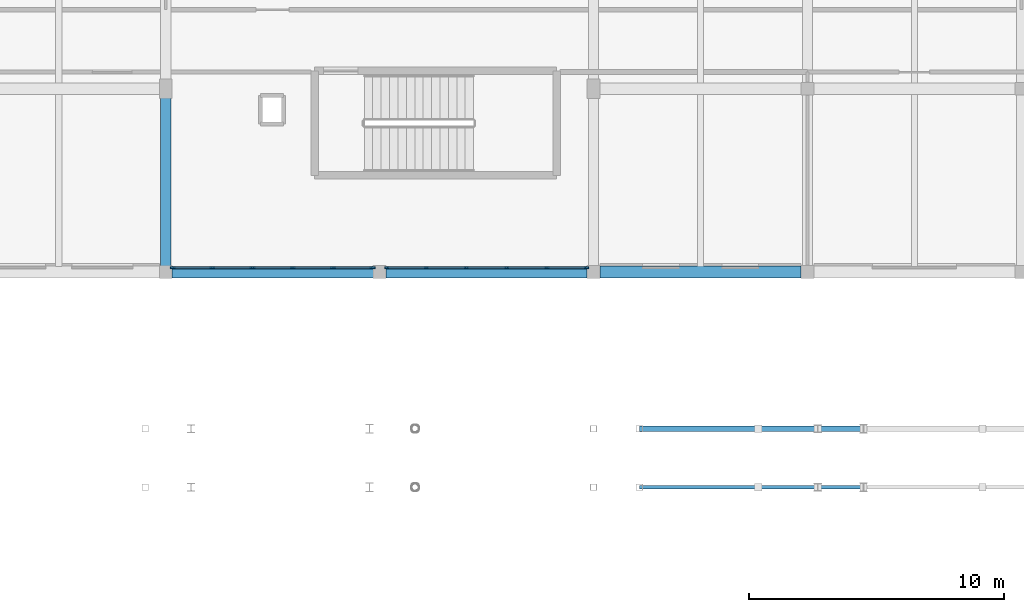
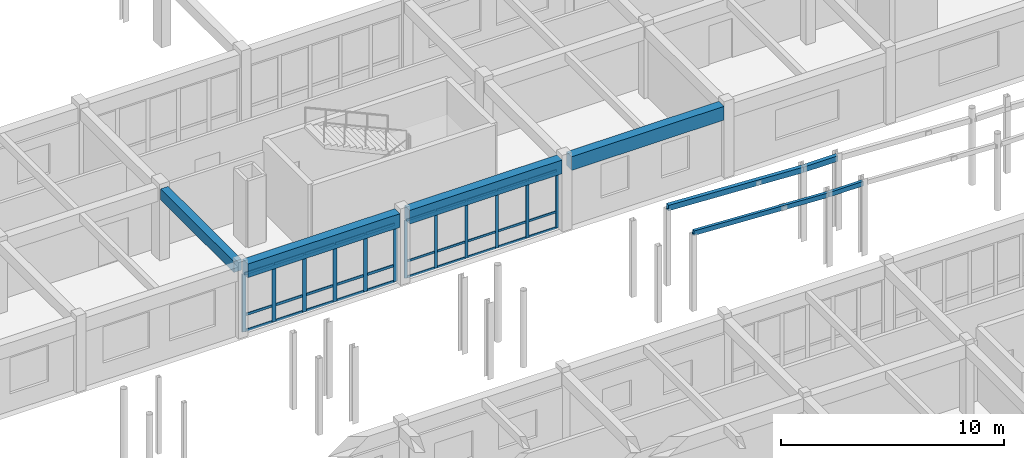
# One storey, part 45 of 90: 46 members, 4 beams, 2 elements without a shape of their own.
"""IFC4 building model written with IfcOpenShell, lengths in metres."""

from ifc_helpers import new_model, si_unit, direction, frame, origin, origin_2d, place, context, subcontext, project, spatial, rectangle, hollow_rectangle, extrude, material, material_profile, profile_set, type_object, element, aggregate, save


model = new_model("IFC4")

# Units and contexts
model_context = context("Model", 3, precision=1e-05, world=origin(), true_north=direction((0.0, 1.0)))
body_context = subcontext(model_context, "Body", "Model", "MODEL_VIEW")
ifc_project = project(units=[si_unit("LENGTHUNIT", "METRE"), si_unit("AREAUNIT", "SQUARE_METRE"), si_unit("VOLUMEUNIT", "CUBIC_METRE"), si_unit("PLANEANGLEUNIT", "RADIAN"), si_unit("MASSUNIT", "GRAM", prefix="KILO")], contexts=[model_context])

# Site, building, storey
site_placement = place(None, origin())
site = spatial("IfcSite", under=ifc_project, at=site_placement, CompositionType="ELEMENT")
building_placement = place(site_placement, origin())
building = spatial("IfcBuilding", under=site, at=building_placement, Name="Malvenik Polytechnic", CompositionType="ELEMENT")
storey_placement = place(building_placement, frame((0.0, 0.0, 9.300048828125)))
storey = spatial("IfcBuildingStorey", under=building, at=storey_placement, Name="L02", CompositionType="ELEMENT", Elevation=9.300048828125)

# Curtain wall, members
ifc_material_1 = material(Name="Anodised aluminium 6060-T6", Category="aluminium")
curtain_wall_type = type_object("IfcCurtainWallType", Name="ARC-CW-CW-03", PredefinedType="NOTDEFINED", material=ifc_material_1)
curtain_wall_1_placement = place(storey_placement, origin())
curtain_wall_1 = element("IfcCurtainWall", 1, at=curtain_wall_1_placement, inside=storey, type_object=curtain_wall_type, Name="Unitised Curtain Wall CW-03 L02 #149", PredefinedType="NOTDEFINED")
ifc_material_2 = material(Name="Anodised aluminium", Category="aluminium")
ifc_material_profile_1 = material_profile(ifc_material_2, rectangle(XDim=0.06005859375, YDim=0.159912109375, at=origin_2d()), Name="ALU MULLION 60x160")
ifc_profile_set_1 = profile_set([ifc_material_profile_1], Name="Anodised aluminium")
member_type_1 = type_object("IfcMemberType", Name="ARC-CWM-160", PredefinedType="MULLION", material=ifc_profile_set_1)
member_1_placement = place(storey_placement, frame((83.721923828125, 79.3701171875, 0.0), z_axis=(0.0, 0.0, 1.0), x_axis=(0.0, -1.0, 0.0)))
member_1 = element("IfcMember", 2, at=member_1_placement, type_object=member_type_1, Name="CW-03 mullion 1", PredefinedType="MULLION", context=body_context, shape_type="SweptSolid", body=[
    extrude(rectangle(XDim=0.06005859375, YDim=0.159912109375, at=origin_2d()), origin(), (0.0, 0.0, 1.0), 3.179931640625),
])
member_2_placement = place(storey_placement, frame((82.171142578125, 79.3701171875, 0.0), z_axis=(0.0, 0.0, 1.0), x_axis=(0.0, -1.0, 0.0)))
member_2 = element("IfcMember", 3, at=member_2_placement, type_object=member_type_1, Name="CW-03 mullion 2", PredefinedType="MULLION", context=body_context, shape_type="SweptSolid", body=[
    extrude(rectangle(XDim=0.06005859375, YDim=0.159912109375, at=origin_2d()), origin(), (0.0, 0.0, 1.0), 3.179931640625),
])
member_3_placement = place(storey_placement, frame((80.59033203125, 79.3701171875, 0.0), z_axis=(0.0, 0.0, 1.0), x_axis=(0.0, -1.0, 0.0)))
member_3 = element("IfcMember", 4, at=member_3_placement, type_object=member_type_1, Name="CW-03 mullion 3", PredefinedType="MULLION", context=body_context, shape_type="SweptSolid", body=[
    extrude(rectangle(XDim=0.06005859375, YDim=0.159912109375, at=origin_2d()), origin(), (0.0, 0.0, 1.0), 3.179931640625),
])
member_4_placement = place(storey_placement, frame((79.009521484375, 79.3701171875, 0.0), z_axis=(0.0, 0.0, 1.0), x_axis=(0.0, -1.0, 0.0)))
member_4 = element("IfcMember", 5, at=member_4_placement, type_object=member_type_1, Name="CW-03 mullion 4", PredefinedType="MULLION", context=body_context, shape_type="SweptSolid", body=[
    extrude(rectangle(XDim=0.06005859375, YDim=0.159912109375, at=origin_2d()), origin(), (0.0, 0.0, 1.0), 3.179931640625),
])
member_5_placement = place(storey_placement, frame((77.4287109375, 79.3701171875, 0.0), z_axis=(0.0, 0.0, 1.0), x_axis=(0.0, -1.0, 0.0)))
member_5 = element("IfcMember", 6, at=member_5_placement, type_object=member_type_1, Name="CW-03 mullion 5", PredefinedType="MULLION", context=body_context, shape_type="SweptSolid", body=[
    extrude(rectangle(XDim=0.06005859375, YDim=0.159912109375, at=origin_2d()), origin(), (0.0, 0.0, 1.0), 3.179931640625),
])
member_6_placement = place(storey_placement, frame((75.8779296875, 79.3701171875, 0.0), z_axis=(0.0, 0.0, 1.0), x_axis=(0.0, -1.0, 0.0)))
member_6 = element("IfcMember", 7, at=member_6_placement, type_object=member_type_1, Name="CW-03 mullion 6", PredefinedType="MULLION", context=body_context, shape_type="SweptSolid", body=[
    extrude(rectangle(XDim=0.06005859375, YDim=0.159912109375, at=origin_2d()), origin(), (0.0, 0.0, 1.0), 3.179931640625),
])

curtain_wall_2_placement = place(storey_placement, origin())
curtain_wall_2 = element("IfcCurtainWall", 8, at=curtain_wall_2_placement, inside=storey, type_object=curtain_wall_type, Name="Unitised Curtain Wall CW-03 L02 #150", PredefinedType="NOTDEFINED")
ifc_material_profile_2 = material_profile(ifc_material_2, rectangle(XDim=0.06005859375, YDim=0.199951171875, at=origin_2d()), Name="ALU MULLION 60x200")
ifc_profile_set_2 = profile_set([ifc_material_profile_2], Name="Anodised aluminium")
member_type_2 = type_object("IfcMemberType", Name="ARC-CWM-200", PredefinedType="MULLION", material=ifc_profile_set_2)
member_7_placement = place(storey_placement, frame((75.322021484375, 79.3701171875, 0.0), z_axis=(0.0, 0.0, 1.0), x_axis=(0.0, -1.0, 0.0)))
member_7 = element("IfcMember", 9, at=member_7_placement, type_object=member_type_2, Name="CW-03 mullion 1", PredefinedType="MULLION", context=body_context, shape_type="SweptSolid", body=[
    extrude(rectangle(XDim=0.06005859375, YDim=0.199951171875, at=origin_2d()), origin(), (0.0, 0.0, 1.0), 3.179931640625),
])
member_8_placement = place(storey_placement, frame((73.771240234375, 79.3701171875, 0.0), z_axis=(0.0, 0.0, 1.0), x_axis=(0.0, -1.0, 0.0)))
member_8 = element("IfcMember", 10, at=member_8_placement, type_object=member_type_2, Name="CW-03 mullion 2", PredefinedType="MULLION", context=body_context, shape_type="SweptSolid", body=[
    extrude(rectangle(XDim=0.06005859375, YDim=0.199951171875, at=origin_2d()), origin(), (0.0, 0.0, 1.0), 3.179931640625),
])
member_9_placement = place(storey_placement, frame((72.1904296875, 79.3701171875, 0.0), z_axis=(0.0, 0.0, 1.0), x_axis=(0.0, -1.0, 0.0)))
member_9 = element("IfcMember", 11, at=member_9_placement, type_object=member_type_2, Name="CW-03 mullion 3", PredefinedType="MULLION", context=body_context, shape_type="SweptSolid", body=[
    extrude(rectangle(XDim=0.06005859375, YDim=0.199951171875, at=origin_2d()), origin(), (0.0, 0.0, 1.0), 3.179931640625),
])
member_10_placement = place(storey_placement, frame((70.609619140625, 79.3701171875, 0.0), z_axis=(0.0, 0.0, 1.0), x_axis=(0.0, -1.0, 0.0)))
member_10 = element("IfcMember", 12, at=member_10_placement, type_object=member_type_2, Name="CW-03 mullion 4", PredefinedType="MULLION", context=body_context, shape_type="SweptSolid", body=[
    extrude(rectangle(XDim=0.06005859375, YDim=0.199951171875, at=origin_2d()), origin(), (0.0, 0.0, 1.0), 3.179931640625),
])
member_11_placement = place(storey_placement, frame((69.02880859375, 79.3701171875, 0.0), z_axis=(0.0, 0.0, 1.0), x_axis=(0.0, -1.0, 0.0)))
member_11 = element("IfcMember", 13, at=member_11_placement, type_object=member_type_2, Name="CW-03 mullion 5", PredefinedType="MULLION", context=body_context, shape_type="SweptSolid", body=[
    extrude(rectangle(XDim=0.06005859375, YDim=0.199951171875, at=origin_2d()), origin(), (0.0, 0.0, 1.0), 3.179931640625),
])
member_12_placement = place(storey_placement, frame((67.47802734375, 79.3701171875, 0.0), z_axis=(0.0, 0.0, 1.0), x_axis=(0.0, -1.0, 0.0)))
member_12 = element("IfcMember", 14, at=member_12_placement, type_object=member_type_2, Name="CW-03 mullion 6", PredefinedType="MULLION", context=body_context, shape_type="SweptSolid", body=[
    extrude(rectangle(XDim=0.06005859375, YDim=0.199951171875, at=origin_2d()), origin(), (0.0, 0.0, 1.0), 3.179931640625),
])

# Member
ifc_material_profile_3 = material_profile(ifc_material_2, rectangle(XDim=0.06005859375, YDim=0.1201171875, at=origin_2d()), Name="ALU TRANSOM 60x120")
ifc_profile_set_3 = profile_set([ifc_material_profile_3], Name="Anodised aluminium")
member_type_3 = type_object("IfcMemberType", Name="ARC-CWT-120", PredefinedType="USERDEFINED", material=ifc_profile_set_3)
member_13_placement = place(storey_placement, frame((83.69189453125, 79.3701171875, 0.030029296875), z_axis=(-1.0, 0.0, 0.0), x_axis=(0.0, -1.0, 0.0)))
member_13 = element("IfcMember", 15, at=member_13_placement, type_object=member_type_3, Name="CW-03 transom 1.1", ObjectType="TRANSOM", PredefinedType="USERDEFINED", context=body_context, shape_type="SweptSolid", body=[
    extrude(rectangle(XDim=0.06005859375, YDim=0.1201171875, at=origin_2d()), origin(), (0.0, 0.0, 1.0), 1.49072265625),
])

member_14_placement = place(storey_placement, frame((83.69189453125, 79.3701171875, 0.89990234375), z_axis=(-1.0, 0.0, 0.0), x_axis=(0.0, -1.0, 0.0)))
member_14 = element("IfcMember", 16, at=member_14_placement, type_object=member_type_3, Name="CW-03 transom 1.2", ObjectType="TRANSOM", PredefinedType="USERDEFINED", context=body_context, shape_type="SweptSolid", body=[
    extrude(rectangle(XDim=0.06005859375, YDim=0.1201171875, at=origin_2d()), origin(), (0.0, 0.0, 1.0), 1.49072265625),
])

member_15_placement = place(storey_placement, frame((83.69189453125, 79.3701171875, 3.14990234375), z_axis=(-1.0, 0.0, 0.0), x_axis=(0.0, -1.0, 0.0)))
member_15 = element("IfcMember", 17, at=member_15_placement, type_object=member_type_3, Name="CW-03 transom 1.3", ObjectType="TRANSOM", PredefinedType="USERDEFINED", context=body_context, shape_type="SweptSolid", body=[
    extrude(rectangle(XDim=0.06005859375, YDim=0.1201171875, at=origin_2d()), origin(), (0.0, 0.0, 1.0), 1.49072265625),
])

member_16_placement = place(storey_placement, frame((82.14111328125, 79.3701171875, 0.030029296875), z_axis=(-1.0, 0.0, 0.0), x_axis=(0.0, -1.0, 0.0)))
member_16 = element("IfcMember", 18, at=member_16_placement, type_object=member_type_3, Name="CW-03 transom 2.1", ObjectType="TRANSOM", PredefinedType="USERDEFINED", context=body_context, shape_type="SweptSolid", body=[
    extrude(rectangle(XDim=0.06005859375, YDim=0.1201171875, at=origin_2d()), origin(), (0.0, 0.0, 1.0), 1.520751953125),
])

member_17_placement = place(storey_placement, frame((82.14111328125, 79.3701171875, 0.89990234375), z_axis=(-1.0, 0.0, 0.0), x_axis=(0.0, -1.0, 0.0)))
member_17 = element("IfcMember", 19, at=member_17_placement, type_object=member_type_3, Name="CW-03 transom 2.2", ObjectType="TRANSOM", PredefinedType="USERDEFINED", context=body_context, shape_type="SweptSolid", body=[
    extrude(rectangle(XDim=0.06005859375, YDim=0.1201171875, at=origin_2d()), origin(), (0.0, 0.0, 1.0), 1.520751953125),
])

member_18_placement = place(storey_placement, frame((82.14111328125, 79.3701171875, 3.14990234375), z_axis=(-1.0, 0.0, 0.0), x_axis=(0.0, -1.0, 0.0)))
member_18 = element("IfcMember", 20, at=member_18_placement, type_object=member_type_3, Name="CW-03 transom 2.3", ObjectType="TRANSOM", PredefinedType="USERDEFINED", context=body_context, shape_type="SweptSolid", body=[
    extrude(rectangle(XDim=0.06005859375, YDim=0.1201171875, at=origin_2d()), origin(), (0.0, 0.0, 1.0), 1.520751953125),
])

member_19_placement = place(storey_placement, frame((80.560302734375, 79.3701171875, 0.030029296875), z_axis=(-1.0, 0.0, 0.0), x_axis=(0.0, -1.0, 0.0)))
member_19 = element("IfcMember", 21, at=member_19_placement, type_object=member_type_3, Name="CW-03 transom 3.1", ObjectType="TRANSOM", PredefinedType="USERDEFINED", context=body_context, shape_type="SweptSolid", body=[
    extrude(rectangle(XDim=0.06005859375, YDim=0.1201171875, at=origin_2d()), origin(), (0.0, 0.0, 1.0), 1.520751953125),
])

member_20_placement = place(storey_placement, frame((80.560302734375, 79.3701171875, 0.89990234375), z_axis=(-1.0, 0.0, 0.0), x_axis=(0.0, -1.0, 0.0)))
member_20 = element("IfcMember", 22, at=member_20_placement, type_object=member_type_3, Name="CW-03 transom 3.2", ObjectType="TRANSOM", PredefinedType="USERDEFINED", context=body_context, shape_type="SweptSolid", body=[
    extrude(rectangle(XDim=0.06005859375, YDim=0.1201171875, at=origin_2d()), origin(), (0.0, 0.0, 1.0), 1.520751953125),
])

member_21_placement = place(storey_placement, frame((80.560302734375, 79.3701171875, 3.14990234375), z_axis=(-1.0, 0.0, 0.0), x_axis=(0.0, -1.0, 0.0)))
member_21 = element("IfcMember", 23, at=member_21_placement, type_object=member_type_3, Name="CW-03 transom 3.3", ObjectType="TRANSOM", PredefinedType="USERDEFINED", context=body_context, shape_type="SweptSolid", body=[
    extrude(rectangle(XDim=0.06005859375, YDim=0.1201171875, at=origin_2d()), origin(), (0.0, 0.0, 1.0), 1.520751953125),
])

member_22_placement = place(storey_placement, frame((78.9794921875, 79.3701171875, 0.030029296875), z_axis=(-1.0, 0.0, 0.0), x_axis=(0.0, -1.0, 0.0)))
member_22 = element("IfcMember", 24, at=member_22_placement, type_object=member_type_3, Name="CW-03 transom 4.1", ObjectType="TRANSOM", PredefinedType="USERDEFINED", context=body_context, shape_type="SweptSolid", body=[
    extrude(rectangle(XDim=0.06005859375, YDim=0.1201171875, at=origin_2d()), origin(), (0.0, 0.0, 1.0), 1.520751953125),
])

member_23_placement = place(storey_placement, frame((78.9794921875, 79.3701171875, 0.89990234375), z_axis=(-1.0, 0.0, 0.0), x_axis=(0.0, -1.0, 0.0)))
member_23 = element("IfcMember", 25, at=member_23_placement, type_object=member_type_3, Name="CW-03 transom 4.2", ObjectType="TRANSOM", PredefinedType="USERDEFINED", context=body_context, shape_type="SweptSolid", body=[
    extrude(rectangle(XDim=0.06005859375, YDim=0.1201171875, at=origin_2d()), origin(), (0.0, 0.0, 1.0), 1.520751953125),
])

member_24_placement = place(storey_placement, frame((78.9794921875, 79.3701171875, 3.14990234375), z_axis=(-1.0, 0.0, 0.0), x_axis=(0.0, -1.0, 0.0)))
member_24 = element("IfcMember", 26, at=member_24_placement, type_object=member_type_3, Name="CW-03 transom 4.3", ObjectType="TRANSOM", PredefinedType="USERDEFINED", context=body_context, shape_type="SweptSolid", body=[
    extrude(rectangle(XDim=0.06005859375, YDim=0.1201171875, at=origin_2d()), origin(), (0.0, 0.0, 1.0), 1.520751953125),
])

member_25_placement = place(storey_placement, frame((77.398681640625, 79.3701171875, 0.030029296875), z_axis=(-1.0, 0.0, 0.0), x_axis=(0.0, -1.0, 0.0)))
member_25 = element("IfcMember", 27, at=member_25_placement, type_object=member_type_3, Name="CW-03 transom 5.1", ObjectType="TRANSOM", PredefinedType="USERDEFINED", context=body_context, shape_type="SweptSolid", body=[
    extrude(rectangle(XDim=0.06005859375, YDim=0.1201171875, at=origin_2d()), origin(), (0.0, 0.0, 1.0), 1.49072265625),
])

member_26_placement = place(storey_placement, frame((77.398681640625, 79.3701171875, 0.89990234375), z_axis=(-1.0, 0.0, 0.0), x_axis=(0.0, -1.0, 0.0)))
member_26 = element("IfcMember", 28, at=member_26_placement, type_object=member_type_3, Name="CW-03 transom 5.2", ObjectType="TRANSOM", PredefinedType="USERDEFINED", context=body_context, shape_type="SweptSolid", body=[
    extrude(rectangle(XDim=0.06005859375, YDim=0.1201171875, at=origin_2d()), origin(), (0.0, 0.0, 1.0), 1.49072265625),
])

member_27_placement = place(storey_placement, frame((77.398681640625, 79.3701171875, 3.14990234375), z_axis=(-1.0, 0.0, 0.0), x_axis=(0.0, -1.0, 0.0)))
member_27 = element("IfcMember", 29, at=member_27_placement, type_object=member_type_3, Name="CW-03 transom 5.3", ObjectType="TRANSOM", PredefinedType="USERDEFINED", context=body_context, shape_type="SweptSolid", body=[
    extrude(rectangle(XDim=0.06005859375, YDim=0.1201171875, at=origin_2d()), origin(), (0.0, 0.0, 1.0), 1.49072265625),
])

aggregate(curtain_wall_1, [member_1, member_2, member_3, member_4, member_5, member_6, member_13, member_14, member_15, member_16, member_17, member_18, member_19, member_20, member_21, member_22, member_23, member_24, member_25, member_26, member_27])

ifc_material_profile_4 = material_profile(ifc_material_2, rectangle(XDim=0.06005859375, YDim=0.139892578125, at=origin_2d()), Name="ALU TRANSOM 60x140")
ifc_profile_set_4 = profile_set([ifc_material_profile_4], Name="Anodised aluminium")
member_type_4 = type_object("IfcMemberType", Name="ARC-CWT-140", PredefinedType="USERDEFINED", material=ifc_profile_set_4)
member_28_placement = place(storey_placement, frame((75.2919921875, 79.3701171875, 0.030029296875), z_axis=(-1.0, 0.0, 0.0), x_axis=(0.0, -1.0, 0.0)))
member_28 = element("IfcMember", 30, at=member_28_placement, type_object=member_type_4, Name="CW-03 transom 1.1", ObjectType="TRANSOM", PredefinedType="USERDEFINED", context=body_context, shape_type="SweptSolid", body=[
    extrude(rectangle(XDim=0.06005859375, YDim=0.139892578125, at=origin_2d()), origin(), (0.0, 0.0, 1.0), 1.49072265625),
])

member_29_placement = place(storey_placement, frame((75.2919921875, 79.3701171875, 0.89990234375), z_axis=(-1.0, 0.0, 0.0), x_axis=(0.0, -1.0, 0.0)))
member_29 = element("IfcMember", 31, at=member_29_placement, type_object=member_type_4, Name="CW-03 transom 1.2", ObjectType="TRANSOM", PredefinedType="USERDEFINED", context=body_context, shape_type="SweptSolid", body=[
    extrude(rectangle(XDim=0.06005859375, YDim=0.139892578125, at=origin_2d()), origin(), (0.0, 0.0, 1.0), 1.49072265625),
])

member_30_placement = place(storey_placement, frame((75.2919921875, 79.3701171875, 3.14990234375), z_axis=(-1.0, 0.0, 0.0), x_axis=(0.0, -1.0, 0.0)))
member_30 = element("IfcMember", 32, at=member_30_placement, type_object=member_type_4, Name="CW-03 transom 1.3", ObjectType="TRANSOM", PredefinedType="USERDEFINED", context=body_context, shape_type="SweptSolid", body=[
    extrude(rectangle(XDim=0.06005859375, YDim=0.139892578125, at=origin_2d()), origin(), (0.0, 0.0, 1.0), 1.49072265625),
])

member_31_placement = place(storey_placement, frame((73.7412109375, 79.3701171875, 0.030029296875), z_axis=(-1.0, 0.0, 0.0), x_axis=(0.0, -1.0, 0.0)))
member_31 = element("IfcMember", 33, at=member_31_placement, type_object=member_type_4, Name="CW-03 transom 2.1", ObjectType="TRANSOM", PredefinedType="USERDEFINED", context=body_context, shape_type="SweptSolid", body=[
    extrude(rectangle(XDim=0.06005859375, YDim=0.139892578125, at=origin_2d()), origin(), (0.0, 0.0, 1.0), 1.520751953125),
])

member_32_placement = place(storey_placement, frame((73.7412109375, 79.3701171875, 0.89990234375), z_axis=(-1.0, 0.0, 0.0), x_axis=(0.0, -1.0, 0.0)))
member_32 = element("IfcMember", 34, at=member_32_placement, type_object=member_type_4, Name="CW-03 transom 2.2", ObjectType="TRANSOM", PredefinedType="USERDEFINED", context=body_context, shape_type="SweptSolid", body=[
    extrude(rectangle(XDim=0.06005859375, YDim=0.139892578125, at=origin_2d()), origin(), (0.0, 0.0, 1.0), 1.520751953125),
])

member_33_placement = place(storey_placement, frame((73.7412109375, 79.3701171875, 3.14990234375), z_axis=(-1.0, 0.0, 0.0), x_axis=(0.0, -1.0, 0.0)))
member_33 = element("IfcMember", 35, at=member_33_placement, type_object=member_type_4, Name="CW-03 transom 2.3", ObjectType="TRANSOM", PredefinedType="USERDEFINED", context=body_context, shape_type="SweptSolid", body=[
    extrude(rectangle(XDim=0.06005859375, YDim=0.139892578125, at=origin_2d()), origin(), (0.0, 0.0, 1.0), 1.520751953125),
])

member_34_placement = place(storey_placement, frame((72.160400390625, 79.3701171875, 0.030029296875), z_axis=(-1.0, 0.0, 0.0), x_axis=(0.0, -1.0, 0.0)))
member_34 = element("IfcMember", 36, at=member_34_placement, type_object=member_type_4, Name="CW-03 transom 3.1", ObjectType="TRANSOM", PredefinedType="USERDEFINED", context=body_context, shape_type="SweptSolid", body=[
    extrude(rectangle(XDim=0.06005859375, YDim=0.139892578125, at=origin_2d()), origin(), (0.0, 0.0, 1.0), 1.520751953125),
])

member_35_placement = place(storey_placement, frame((72.160400390625, 79.3701171875, 0.89990234375), z_axis=(-1.0, 0.0, 0.0), x_axis=(0.0, -1.0, 0.0)))
member_35 = element("IfcMember", 37, at=member_35_placement, type_object=member_type_4, Name="CW-03 transom 3.2", ObjectType="TRANSOM", PredefinedType="USERDEFINED", context=body_context, shape_type="SweptSolid", body=[
    extrude(rectangle(XDim=0.06005859375, YDim=0.139892578125, at=origin_2d()), origin(), (0.0, 0.0, 1.0), 1.520751953125),
])

member_36_placement = place(storey_placement, frame((72.160400390625, 79.3701171875, 3.14990234375), z_axis=(-1.0, 0.0, 0.0), x_axis=(0.0, -1.0, 0.0)))
member_36 = element("IfcMember", 38, at=member_36_placement, type_object=member_type_4, Name="CW-03 transom 3.3", ObjectType="TRANSOM", PredefinedType="USERDEFINED", context=body_context, shape_type="SweptSolid", body=[
    extrude(rectangle(XDim=0.06005859375, YDim=0.139892578125, at=origin_2d()), origin(), (0.0, 0.0, 1.0), 1.520751953125),
])

member_37_placement = place(storey_placement, frame((70.57958984375, 79.3701171875, 0.030029296875), z_axis=(-1.0, 0.0, 0.0), x_axis=(0.0, -1.0, 0.0)))
member_37 = element("IfcMember", 39, at=member_37_placement, type_object=member_type_4, Name="CW-03 transom 4.1", ObjectType="TRANSOM", PredefinedType="USERDEFINED", context=body_context, shape_type="SweptSolid", body=[
    extrude(rectangle(XDim=0.06005859375, YDim=0.139892578125, at=origin_2d()), origin(), (0.0, 0.0, 1.0), 1.520751953125),
])

member_38_placement = place(storey_placement, frame((70.57958984375, 79.3701171875, 0.89990234375), z_axis=(-1.0, 0.0, 0.0), x_axis=(0.0, -1.0, 0.0)))
member_38 = element("IfcMember", 40, at=member_38_placement, type_object=member_type_4, Name="CW-03 transom 4.2", ObjectType="TRANSOM", PredefinedType="USERDEFINED", context=body_context, shape_type="SweptSolid", body=[
    extrude(rectangle(XDim=0.06005859375, YDim=0.139892578125, at=origin_2d()), origin(), (0.0, 0.0, 1.0), 1.520751953125),
])

member_39_placement = place(storey_placement, frame((70.57958984375, 79.3701171875, 3.14990234375), z_axis=(-1.0, 0.0, 0.0), x_axis=(0.0, -1.0, 0.0)))
member_39 = element("IfcMember", 41, at=member_39_placement, type_object=member_type_4, Name="CW-03 transom 4.3", ObjectType="TRANSOM", PredefinedType="USERDEFINED", context=body_context, shape_type="SweptSolid", body=[
    extrude(rectangle(XDim=0.06005859375, YDim=0.139892578125, at=origin_2d()), origin(), (0.0, 0.0, 1.0), 1.520751953125),
])

member_40_placement = place(storey_placement, frame((68.998779296875, 79.3701171875, 0.030029296875), z_axis=(-1.0, 0.0, 0.0), x_axis=(0.0, -1.0, 0.0)))
member_40 = element("IfcMember", 42, at=member_40_placement, type_object=member_type_4, Name="CW-03 transom 5.1", ObjectType="TRANSOM", PredefinedType="USERDEFINED", context=body_context, shape_type="SweptSolid", body=[
    extrude(rectangle(XDim=0.06005859375, YDim=0.139892578125, at=origin_2d()), origin(), (0.0, 0.0, 1.0), 1.49072265625),
])

member_41_placement = place(storey_placement, frame((68.998779296875, 79.3701171875, 0.89990234375), z_axis=(-1.0, 0.0, 0.0), x_axis=(0.0, -1.0, 0.0)))
member_41 = element("IfcMember", 43, at=member_41_placement, type_object=member_type_4, Name="CW-03 transom 5.2", ObjectType="TRANSOM", PredefinedType="USERDEFINED", context=body_context, shape_type="SweptSolid", body=[
    extrude(rectangle(XDim=0.06005859375, YDim=0.139892578125, at=origin_2d()), origin(), (0.0, 0.0, 1.0), 1.49072265625),
])

member_42_placement = place(storey_placement, frame((68.998779296875, 79.3701171875, 3.14990234375), z_axis=(-1.0, 0.0, 0.0), x_axis=(0.0, -1.0, 0.0)))
member_42 = element("IfcMember", 44, at=member_42_placement, type_object=member_type_4, Name="CW-03 transom 5.3", ObjectType="TRANSOM", PredefinedType="USERDEFINED", context=body_context, shape_type="SweptSolid", body=[
    extrude(rectangle(XDim=0.06005859375, YDim=0.139892578125, at=origin_2d()), origin(), (0.0, 0.0, 1.0), 1.49072265625),
])

aggregate(curtain_wall_2, [member_7, member_8, member_9, member_10, member_11, member_12, member_28, member_29, member_30, member_31, member_32, member_33, member_34, member_35, member_36, member_37, member_38, member_39, member_40, member_41, member_42])

# Beams
ifc_material_3 = material(Name="Concrete C35/45", Category="concrete")
ifc_material_profile_5 = material_profile(ifc_material_3, rectangle(XDim=0.39990234375, YDim=0.60009765625, at=origin_2d()), Name="RC BM 400x600")
ifc_profile_set_5 = profile_set([ifc_material_profile_5], Name="Concrete C35/45")
beam_type_1 = type_object("IfcBeamType", Name="STR-BM-B-06", PredefinedType="BEAM", material=ifc_profile_set_5)
beam_placement = place(storey_placement, frame((67.199951171875, 79.447998046875, 3.639892578125), z_axis=(0.0, 1.0, 0.0), x_axis=(-1.0, 0.0, 0.0)))
element("IfcBeam", 45, at=beam_placement, inside=storey, type_object=beam_type_1, Name="Transverse Beam B-06 L02 #1503", PredefinedType="BEAM", context=body_context, shape_type="SweptSolid", body=[
    extrude(rectangle(XDim=0.39990234375, YDim=0.60009765625, at=origin_2d()), origin(), (0.0, 0.0, 1.0), 6.5791015625),
])
ifc_material_4 = material(Name="Precast concrete C40/50", Category="concrete")
ifc_material_profile_6 = material_profile(ifc_material_4, rectangle(XDim=0.4599609375, YDim=0.75, at=origin_2d()), Name="PC SPN 460x750")
ifc_profile_set_6 = profile_set([ifc_material_profile_6], Name="Precast concrete C40/50")
beam_type_2 = type_object("IfcBeamType", Name="STR-BM-SP-02", PredefinedType="SPANDREL", material=ifc_profile_set_6)
for number, where, z_axis, x_axis, name in (
    (46, (67.447998046875, 79.199951171875, 3.56494140625), (1.0, 0.0, 0.0), (0.0, 1.0, 0.0), "Primary Beam SP-02 L02 #1384"),
    (47, (75.847900390625, 79.199951171875, 3.56494140625), (1.0, 0.0, 0.0), (0.0, 1.0, 0.0), "Primary Beam SP-02 L02 #1385"),
    (48, (84.248046875, 79.199951171875, 3.56494140625), (1.0, 0.0, 0.0), (0.0, 1.0, 0.0), "Primary Beam SP-02 L02 #1386"),
):
    element("IfcBeam", number, at=place(storey_placement, frame(where, z_axis=z_axis, x_axis=x_axis)), inside=storey, type_object=beam_type_2, Name=name, PredefinedType="SPANDREL", context=body_context, shape_type="SweptSolid", body=[
        extrude(rectangle(XDim=0.4599609375, YDim=0.75, at=origin_2d()), origin(), (0.0, 0.0, 1.0), 7.904052734375),
    ])

# Members
ifc_material_5 = material(Name="Steel S355J2H", Category="steel")
ifc_material_profile_7 = material_profile(ifc_material_5, hollow_rectangle(XDim=0.14990234375, YDim=0.25, WallThickness=0.010009765625, at=origin_2d()), Name="RHS 250x150x10.0")
ifc_profile_set_7 = profile_set([ifc_material_profile_7], Name="Steel S355J2H")
member_type_5 = type_object("IfcMemberType", Name="STR-MEM-TRB-01", PredefinedType="CHORD", material=ifc_profile_set_7)
member_43_placement = place(storey_placement, frame((94.595947265625, 70.75, 3.8798828125), z_axis=(-1.0, 0.0, 0.0), x_axis=(0.0, -1.0, 0.0)))
element("IfcMember", 49, at=member_43_placement, inside=storey, type_object=member_type_5, Name="Space-Frame Tube TRB-01 STR-TR-BC-RB-02-1-07", PredefinedType="CHORD", context=body_context, shape_type="SweptSolid", body=[
    extrude(hollow_rectangle(XDim=0.14990234375, YDim=0.25, WallThickness=0.010009765625, at=origin_2d()), origin(), (0.0, 0.0, 1.0), 1.7919921875),
])
member_44_placement = place(storey_placement, frame((92.7958984375, 70.75, 3.880126953125), z_axis=(-0.998752251909, 0.0, 0.049939356288), x_axis=(0.0, -1.0, 0.0)))
element("IfcMember", 50, at=member_44_placement, inside=storey, type_object=member_type_5, Name="Space-Frame Tube TRB-01 STR-TR-BC-RB-02-1-08", PredefinedType="CHORD", context=body_context, shape_type="SweptSolid", body=[
    extrude(hollow_rectangle(XDim=0.14990234375, YDim=0.25, WallThickness=0.010009765625, at=origin_2d()), origin(), (0.0, 0.0, 1.0), 7.000732421875),
])
ifc_material_profile_8 = material_profile(ifc_material_5, hollow_rectangle(XDim=0.199951171875, YDim=0.300048828125, WallThickness=0.010009765625, at=origin_2d()), Name="RHS 300x200x10.0")
ifc_profile_set_8 = profile_set([ifc_material_profile_8], Name="Steel S355J2H")
member_type_6 = type_object("IfcMemberType", Name="STR-MEM-TRB-02", PredefinedType="CHORD", material=ifc_profile_set_8)
member_45_placement = place(storey_placement, frame((94.595947265625, 73.050048828125, 3.8798828125), z_axis=(-1.0, 0.0, 0.0), x_axis=(0.0, -1.0, 0.0)))
element("IfcMember", 51, at=member_45_placement, inside=storey, type_object=member_type_6, Name="Space-Frame Tube TRB-02 STR-TR-BC-RB-02-2-07", PredefinedType="CHORD", context=body_context, shape_type="SweptSolid", body=[
    extrude(hollow_rectangle(XDim=0.199951171875, YDim=0.300048828125, WallThickness=0.010009765625, at=origin_2d()), origin(), (0.0, 0.0, 1.0), 1.7919921875),
])
member_46_placement = place(storey_placement, frame((92.7958984375, 73.050048828125, 3.880126953125), z_axis=(-0.998752251909, 0.0, 0.049939356288), x_axis=(0.0, -1.0, 0.0)))
element("IfcMember", 52, at=member_46_placement, inside=storey, type_object=member_type_6, Name="Space-Frame Tube TRB-02 STR-TR-BC-RB-02-2-08", PredefinedType="CHORD", context=body_context, shape_type="SweptSolid", body=[
    extrude(hollow_rectangle(XDim=0.199951171875, YDim=0.300048828125, WallThickness=0.010009765625, at=origin_2d()), origin(), (0.0, 0.0, 1.0), 7.000732421875),
])

save(model, "model.ifc")
